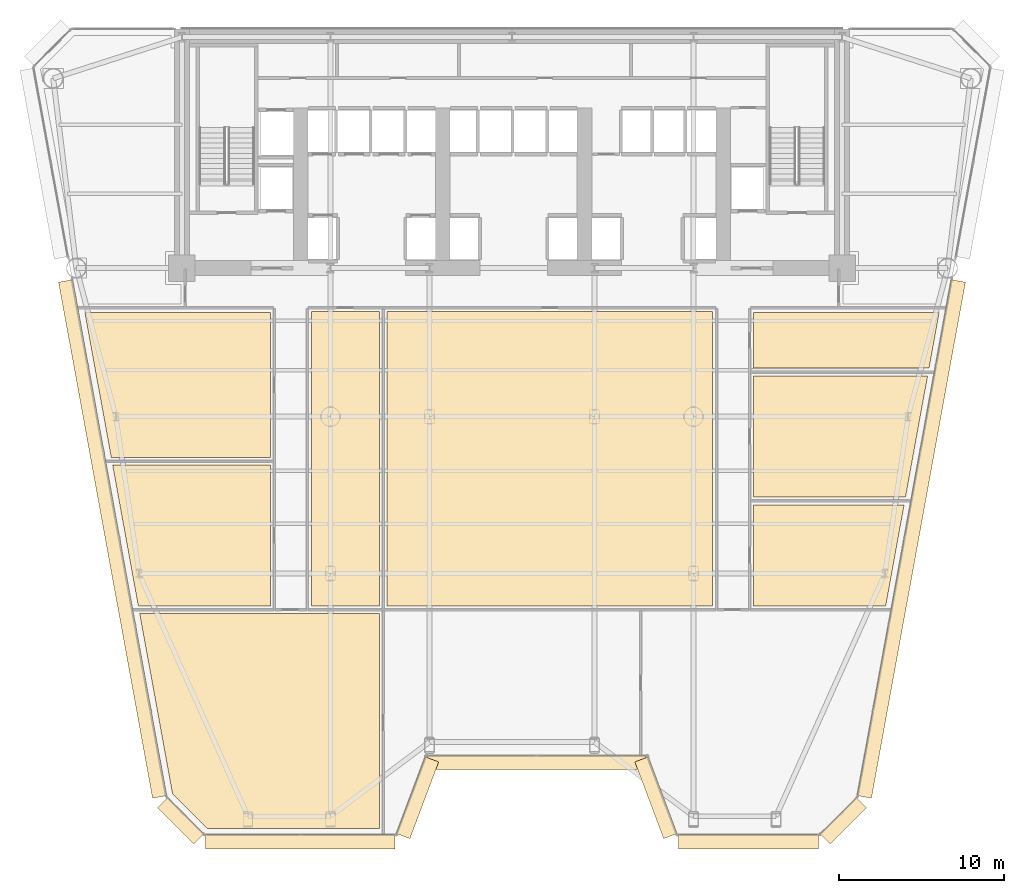
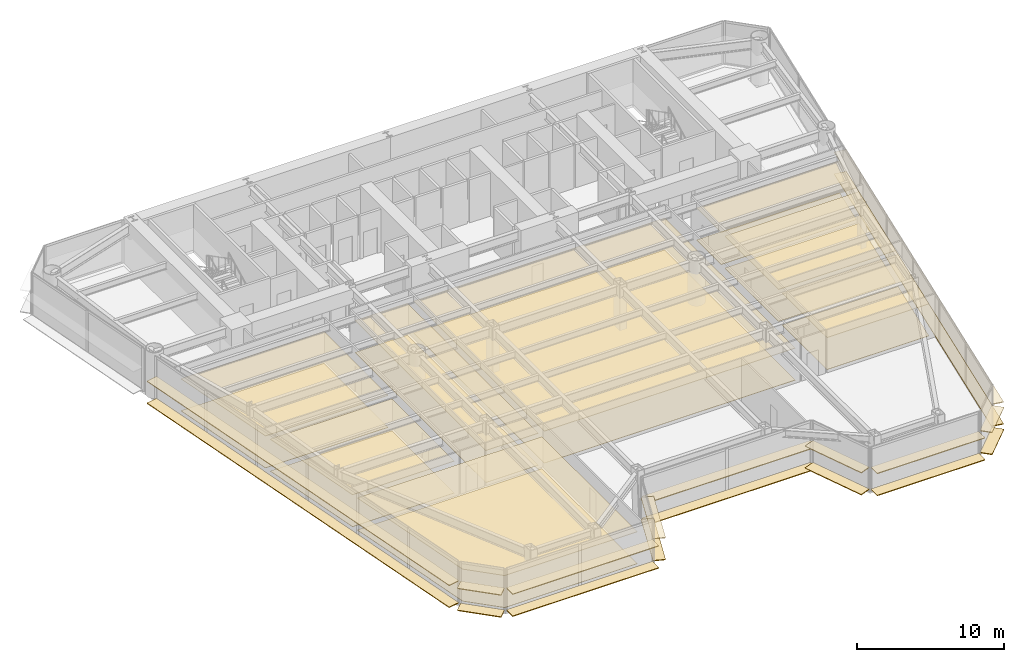
# One storey, part 11 of 14: 34 coverings.
"""IFC4 building model written with IfcOpenShell, lengths in metres."""

from ifc_helpers import new_model, si_unit, direction, frame, origin, origin_2d, place, context, subcontext, project, spatial, polyline, rectangle, outline, extrude, source, transform, mapped, material, layer, layer_set, type_object, element, save


model = new_model("IFC4")

# Units and contexts
model_context = context("Model", 3, precision=1e-05, world=origin(), true_north=direction((0.0, 1.0)))
body_context = subcontext(model_context, "Body", "Model", "MODEL_VIEW")
ifc_project = project(units=[si_unit("LENGTHUNIT", "METRE"), si_unit("AREAUNIT", "SQUARE_METRE"), si_unit("VOLUMEUNIT", "CUBIC_METRE"), si_unit("PLANEANGLEUNIT", "RADIAN"), si_unit("MASSUNIT", "GRAM", prefix="KILO")], contexts=[model_context])

# Site, building, storey
site_placement = place(None, origin())
site = spatial("IfcSite", under=ifc_project, at=site_placement, CompositionType="ELEMENT")
building_placement = place(site_placement, origin())
building = spatial("IfcBuilding", under=site, at=building_placement, Name="Vaeldorn Concourse Tower", CompositionType="ELEMENT")
storey_placement = place(building_placement, frame((0.0, 0.0, 53.0)))
storey = spatial("IfcBuildingStorey", under=building, at=storey_placement, Name="L13", CompositionType="ELEMENT", Elevation=53.0)

# Coverings
ifc_material_1 = material(Name="Acoustic Mineral Fibre Board", Category="gypsum")
ifc_layer_1 = layer(ifc_material_1, 0.0400390625)
ifc_layer_set_1 = layer_set([ifc_layer_1], Name="Acoustic Mineral Fibre Board")
covering_type_1 = type_object("IfcCoveringType", Name="COV-CEIL-ACOUSTIC", PredefinedType="CEILING", material=ifc_layer_set_1)
covering_1_placement = place(storey_placement, frame((0.0, 0.0, 2.64990234375)))
element("IfcCovering", 1, at=covering_1_placement, inside=storey, type_object=covering_type_1, Name="Suspended Acoustic Ceiling L13-5", PredefinedType="CEILING", context=body_context, shape_type="SweptSolid", body=[
    extrude(outline(polyline([(19.360107421875, 24.56005859375), (19.360107421875, 16.0400390625), (11.355712890625, 16.0400390625), (9.8037109375, 24.56005859375), (19.360107421875, 24.56005859375)])), origin(), (0.0, 0.0, 1.0), 0.0400390625),
])
covering_2_placement = place(storey_placement, frame((0.0, 0.0, 2.64990234375)))
element("IfcCovering", 2, at=covering_2_placement, inside=storey, type_object=covering_type_1, Name="Suspended Acoustic Ceiling L13-6", PredefinedType="CEILING", context=body_context, shape_type="SweptSolid", body=[
    extrude(outline(polyline([(19.360107421875, 33.800048828125), (19.360107421875, 25.0400390625), (9.71630859375, 25.0400390625), (8.12060546875, 33.800048828125), (19.360107421875, 33.800048828125)])), origin(), (0.0, 0.0, 1.0), 0.0400390625),
])
covering_3_placement = place(storey_placement, frame((0.0, 0.0, 2.64990234375)))
element("IfcCovering", 3, at=covering_3_placement, inside=storey, type_object=covering_type_1, Name="Suspended Acoustic Ceiling L13-7", PredefinedType="CEILING", context=body_context, shape_type="SweptSolid", body=[
    extrude(outline(polyline([(48.639892578125, 16.0400390625), (48.639892578125, 22.159912109375), (57.759033203125, 22.159912109375), (56.644287109375, 16.0400390625), (48.639892578125, 16.0400390625)])), origin(), (0.0, 0.0, 1.0), 0.0400390625),
])
covering_4_placement = place(storey_placement, frame((0.0, 0.0, 2.64990234375)))
element("IfcCovering", 4, at=covering_4_placement, inside=storey, type_object=covering_type_1, Name="Suspended Acoustic Ceiling L13-8", PredefinedType="CEILING", context=body_context, shape_type="SweptSolid", body=[
    extrude(outline(polyline([(48.639892578125, 22.639892578125), (48.639892578125, 29.9599609375), (59.179931640625, 29.9599609375), (57.846435546875, 22.639892578125), (48.639892578125, 22.639892578125)])), origin(), (0.0, 0.0, 1.0), 0.0400390625),
])
covering_5_placement = place(storey_placement, frame((0.0, 0.0, 2.64990234375)))
element("IfcCovering", 5, at=covering_5_placement, inside=storey, type_object=covering_type_1, Name="Suspended Acoustic Ceiling L13-9", PredefinedType="CEILING", context=body_context, shape_type="SweptSolid", body=[
    extrude(outline(polyline([(48.639892578125, 30.43994140625), (48.639892578125, 33.800048828125), (59.87939453125, 33.800048828125), (59.267333984375, 30.43994140625), (48.639892578125, 30.43994140625)])), origin(), (0.0, 0.0, 1.0), 0.0400390625),
])
covering_6_placement = place(storey_placement, frame((0.0, 0.0, 2.64990234375)))
element("IfcCovering", 6, at=covering_6_placement, inside=storey, type_object=covering_type_1, Name="Suspended Acoustic Ceiling L13-10", PredefinedType="CEILING", context=body_context, shape_type="SweptSolid", body=[
    extrude(outline(polyline([(21.840087890625, 33.860107421875), (25.9599609375, 33.860107421875), (25.9599609375, 16.0400390625), (21.840087890625, 16.0400390625), (21.840087890625, 33.860107421875)])), origin(), (0.0, 0.0, 1.0), 0.0400390625),
])
covering_7_placement = place(storey_placement, frame((0.0, 0.0, 2.64990234375)))
element("IfcCovering", 7, at=covering_7_placement, inside=storey, type_object=covering_type_1, Name="Suspended Acoustic Ceiling L13-11", PredefinedType="CEILING", context=body_context, shape_type="SweptSolid", body=[
    extrude(outline(polyline([(26.43994140625, 33.860107421875), (46.159912109375, 33.860107421875), (46.159912109375, 16.0400390625), (26.43994140625, 16.0400390625), (26.43994140625, 33.860107421875)])), origin(), (0.0, 0.0, 1.0), 0.0400390625),
])
covering_8_placement = place(storey_placement, frame((0.0, 0.0, 2.64990234375)))
element("IfcCovering", 8, at=covering_8_placement, inside=storey, type_object=covering_type_1, Name="Suspended Acoustic Ceiling L13-12", PredefinedType="CEILING", context=body_context, shape_type="SweptSolid", body=[
    extrude(outline(polyline([(25.9599609375, 15.56005859375), (25.9599609375, 2.5517578125), (15.525634765625, 2.5517578125), (13.43115234375, 4.646240234375), (11.443115234375, 15.56005859375), (25.9599609375, 15.56005859375)])), origin(), (0.0, 0.0, 1.0), 0.0400390625),
])
ifc_material_2 = material(Name="Honed Limestone Terrazzo Flooring", Category="masonry")
ifc_layer_2 = layer(ifc_material_2, 0.0400390625)
ifc_layer_set_2 = layer_set([ifc_layer_2], Name="Honed Limestone Terrazzo Flooring")
covering_type_2 = type_object("IfcCoveringType", Name="COV-FLOOR-STONE", PredefinedType="FLOORING", material=ifc_layer_set_2)
covering_9_placement = place(storey_placement, origin())
element("IfcCovering", 9, at=covering_9_placement, inside=storey, type_object=covering_type_2, Name="Floor Finish Covering L13-5", PredefinedType="FLOORING", context=body_context, shape_type="SweptSolid", body=[
    extrude(outline(polyline([(19.360107421875, 24.56005859375), (19.360107421875, 16.0400390625), (11.355712890625, 16.0400390625), (9.8037109375, 24.56005859375), (19.360107421875, 24.56005859375)])), origin(), (0.0, 0.0, 1.0), 0.030029296875),
])
covering_10_placement = place(storey_placement, origin())
element("IfcCovering", 10, at=covering_10_placement, inside=storey, type_object=covering_type_2, Name="Floor Finish Covering L13-6", PredefinedType="FLOORING", context=body_context, shape_type="SweptSolid", body=[
    extrude(outline(polyline([(19.360107421875, 33.800048828125), (19.360107421875, 25.0400390625), (9.71630859375, 25.0400390625), (8.12060546875, 33.800048828125), (19.360107421875, 33.800048828125)])), origin(), (0.0, 0.0, 1.0), 0.030029296875),
])
covering_11_placement = place(storey_placement, origin())
element("IfcCovering", 11, at=covering_11_placement, inside=storey, type_object=covering_type_2, Name="Floor Finish Covering L13-7", PredefinedType="FLOORING", context=body_context, shape_type="SweptSolid", body=[
    extrude(outline(polyline([(48.639892578125, 16.0400390625), (48.639892578125, 22.159912109375), (57.759033203125, 22.159912109375), (56.644287109375, 16.0400390625), (48.639892578125, 16.0400390625)])), origin(), (0.0, 0.0, 1.0), 0.030029296875),
])
covering_12_placement = place(storey_placement, origin())
element("IfcCovering", 12, at=covering_12_placement, inside=storey, type_object=covering_type_2, Name="Floor Finish Covering L13-8", PredefinedType="FLOORING", context=body_context, shape_type="SweptSolid", body=[
    extrude(outline(polyline([(48.639892578125, 22.639892578125), (48.639892578125, 29.9599609375), (59.179931640625, 29.9599609375), (57.846435546875, 22.639892578125), (48.639892578125, 22.639892578125)])), origin(), (0.0, 0.0, 1.0), 0.030029296875),
])
covering_13_placement = place(storey_placement, origin())
element("IfcCovering", 13, at=covering_13_placement, inside=storey, type_object=covering_type_2, Name="Floor Finish Covering L13-9", PredefinedType="FLOORING", context=body_context, shape_type="SweptSolid", body=[
    extrude(outline(polyline([(48.639892578125, 30.43994140625), (48.639892578125, 33.800048828125), (59.87939453125, 33.800048828125), (59.267333984375, 30.43994140625), (48.639892578125, 30.43994140625)])), origin(), (0.0, 0.0, 1.0), 0.030029296875),
])
covering_14_placement = place(storey_placement, origin())
element("IfcCovering", 14, at=covering_14_placement, inside=storey, type_object=covering_type_2, Name="Floor Finish Covering L13-10", PredefinedType="FLOORING", context=body_context, shape_type="SweptSolid", body=[
    extrude(outline(polyline([(21.840087890625, 33.860107421875), (25.9599609375, 33.860107421875), (25.9599609375, 16.0400390625), (21.840087890625, 16.0400390625), (21.840087890625, 33.860107421875)])), origin(), (0.0, 0.0, 1.0), 0.030029296875),
])
covering_15_placement = place(storey_placement, origin())
element("IfcCovering", 15, at=covering_15_placement, inside=storey, type_object=covering_type_2, Name="Floor Finish Covering L13-11", PredefinedType="FLOORING", context=body_context, shape_type="SweptSolid", body=[
    extrude(outline(polyline([(26.43994140625, 33.860107421875), (46.159912109375, 33.860107421875), (46.159912109375, 16.0400390625), (26.43994140625, 16.0400390625), (26.43994140625, 33.860107421875)])), origin(), (0.0, 0.0, 1.0), 0.030029296875),
])
covering_16_placement = place(storey_placement, origin())
element("IfcCovering", 16, at=covering_16_placement, inside=storey, type_object=covering_type_2, Name="Floor Finish Covering L13-12", PredefinedType="FLOORING", context=body_context, shape_type="SweptSolid", body=[
    extrude(outline(polyline([(25.9599609375, 15.56005859375), (25.9599609375, 2.5517578125), (15.525634765625, 2.5517578125), (13.43115234375, 4.646240234375), (11.443115234375, 15.56005859375), (25.9599609375, 15.56005859375)])), origin(), (0.0, 0.0, 1.0), 0.030029296875),
])
ifc_material_3 = material(Name="Anodised Bronze Aluminium", Category="aluminium")
ifc_layer_3 = layer(ifc_material_3, 0.06494140625)
ifc_layer_set_3 = layer_set([ifc_layer_3], Name="Anodised Bronze Aluminium")
covering_type_3 = type_object("IfcCoveringType", Name="SD-BRONZE-SUNSHADE", PredefinedType="USERDEFINED", material=ifc_layer_set_3)
shared_shape_1 = source(origin(), body_context, "Body", "SweptSolid", [
    extrude(rectangle(XDim=4.96630859375, YDim=0.8798828125, at=origin_2d()), origin(), (0.0, 0.0, 1.0), 0.06494140625),
])
for number, where, z_axis, x_axis, name in (
    (17, (28.2744140625, 4.411376953125, 0.047607421875), (0.0, 0.0, 1.0), (0.351122702609, 0.936329454686, 0.0), "Horizontal Bronze Sunshade L13-E02.1.1"),
    (18, (28.2744140625, 4.411376953125, 1.867431640625), (0.0, 0.0, 1.0), (0.351122702609, 0.936329454686, 0.0), "Horizontal Bronze Sunshade L13-E02.1.2"),
    (19, (42.7255859375, 4.411376953125, 0.047607421875), (0.0, 0.0, 1.0), (0.351122702609, -0.936329454686, 0.0), "Horizontal Bronze Sunshade L13-E04.1.1"),
    (20, (42.7255859375, 4.411376953125, 1.867431640625), (0.0, 0.0, 1.0), (0.351122702609, -0.936329454686, 0.0), "Horizontal Bronze Sunshade L13-E04.1.2"),
):
    element("IfcCovering", number, at=place(storey_placement, frame(where, z_axis=z_axis, x_axis=x_axis)), inside=storey, type_object=covering_type_3, Name=name, ObjectType="SUNSHADE", PredefinedType="USERDEFINED", context=body_context, shape_type="MappedRepresentation", body=[
        mapped(shared_shape_1, transform((0.0, 0.0, 0.0), scale=1.0)),
    ])
shared_shape_2 = source(origin(), body_context, "Body", "SweptSolid", [
    extrude(rectangle(XDim=13.239990234375, YDim=0.8798828125, at=origin_2d()), origin(), (0.0, 0.0, 1.0), 0.06494140625),
])
for number, where, z_axis, x_axis, name in (
    (21, (35.5, 6.5517578125, 0.047607421875), (0.0, 0.0, 1.0), (1.0, 0.0, 0.0), "Horizontal Bronze Sunshade L13-E03.1.1"),
    (22, (35.5, 6.5517578125, 1.867431640625), (0.0, 0.0, 1.0), (1.0, 0.0, 0.0), "Horizontal Bronze Sunshade L13-E03.1.2"),
):
    element("IfcCovering", number, at=place(storey_placement, frame(where, z_axis=z_axis, x_axis=x_axis)), inside=storey, type_object=covering_type_3, Name=name, ObjectType="SUNSHADE", PredefinedType="USERDEFINED", context=body_context, shape_type="MappedRepresentation", body=[
        mapped(shared_shape_2, transform((0.0, 0.0, 0.0), scale=1.0)),
    ])
shared_shape_3 = source(origin(), body_context, "Body", "SweptSolid", [
    extrude(rectangle(XDim=3.0927734375, YDim=0.8798828125, at=origin_2d()), origin(), (0.0, 0.0, 1.0), 0.06494140625),
])
for number, where, z_axis, x_axis, name in (
    (23, (54.07275390625, 3.018798828125, 0.047607421875), (0.0, 0.0, 1.0), (0.707106781187, 0.707106781187, 0.0), "Horizontal Bronze Sunshade L13-E06.1.1"),
    (24, (54.07275390625, 3.018798828125, 1.867431640625), (0.0, 0.0, 1.0), (0.707106781187, 0.707106781187, 0.0), "Horizontal Bronze Sunshade L13-E06.1.2"),
    (25, (13.92724609375, 3.018798828125, 0.047607421875), (0.0, 0.0, 1.0), (0.707106781187, -0.707106781187, 0.0), "Horizontal Bronze Sunshade L13-E12.1.1"),
    (26, (13.92724609375, 3.018798828125, 1.867431640625), (0.0, 0.0, 1.0), (0.707106781187, -0.707106781187, 0.0), "Horizontal Bronze Sunshade L13-E12.1.2"),
):
    element("IfcCovering", number, at=place(storey_placement, frame(where, z_axis=z_axis, x_axis=x_axis)), inside=storey, type_object=covering_type_3, Name=name, ObjectType="SUNSHADE", PredefinedType="USERDEFINED", context=body_context, shape_type="MappedRepresentation", body=[
        mapped(shared_shape_3, transform((0.0, 0.0, 0.0), scale=1.0)),
    ])
shared_shape_4 = source(origin(), body_context, "Body", "SweptSolid", [
    extrude(rectangle(XDim=11.47998046875, YDim=0.8798828125, at=origin_2d()), origin(), (0.0, 0.0, 1.0), 0.06494140625),
])
for number, where, z_axis, x_axis, name in (
    (27, (21.179931640625, 1.751708984375, 0.047607421875), (0.0, 0.0, 1.0), (1.0, 0.0, 0.0), "Horizontal Bronze Sunshade L13-E01.1.1"),
    (28, (21.179931640625, 1.751708984375, 1.867431640625), (0.0, 0.0, 1.0), (1.0, 0.0, 0.0), "Horizontal Bronze Sunshade L13-E01.1.2"),
):
    element("IfcCovering", number, at=place(storey_placement, frame(where, z_axis=z_axis, x_axis=x_axis)), inside=storey, type_object=covering_type_3, Name=name, ObjectType="SUNSHADE", PredefinedType="USERDEFINED", context=body_context, shape_type="MappedRepresentation", body=[
        mapped(shared_shape_4, transform((0.0, 0.0, 0.0), scale=1.0)),
    ])
shared_shape_5 = source(origin(), body_context, "Body", "SweptSolid", [
    extrude(rectangle(XDim=8.47998046875, YDim=0.8798828125, at=origin_2d()), origin(), (0.0, 0.0, 1.0), 0.06494140625),
])
for number, where, z_axis, x_axis, name in (
    (29, (48.320068359375, 1.751708984375, 0.047607421875), (0.0, 0.0, 1.0), (1.0, 0.0, 0.0), "Horizontal Bronze Sunshade L13-E05.1.1"),
    (30, (48.320068359375, 1.751708984375, 1.867431640625), (0.0, 0.0, 1.0), (1.0, 0.0, 0.0), "Horizontal Bronze Sunshade L13-E05.1.2"),
):
    element("IfcCovering", number, at=place(storey_placement, frame(where, z_axis=z_axis, x_axis=x_axis)), inside=storey, type_object=covering_type_3, Name=name, ObjectType="SUNSHADE", PredefinedType="USERDEFINED", context=body_context, shape_type="MappedRepresentation", body=[
        mapped(shared_shape_5, transform((0.0, 0.0, 0.0), scale=1.0)),
    ])
shared_shape_6 = source(origin(), body_context, "Body", "SweptSolid", [
    extrude(rectangle(XDim=31.785888671875, YDim=0.8798828125, at=origin_2d()), origin(), (0.0, 0.0, 1.0), 0.06494140625),
])
for number, where, z_axis, x_axis, name in (
    (31, (58.196044921875, 20.094482421875, 0.047607421875), (0.0, 0.0, 1.0), (0.179214328219, 0.983810055123, 0.0), "Horizontal Bronze Sunshade L13-E07.1.1"),
    (32, (58.196044921875, 20.094482421875, 1.867431640625), (0.0, 0.0, 1.0), (0.179214328219, 0.983810055123, 0.0), "Horizontal Bronze Sunshade L13-E07.1.2"),
    (33, (9.803955078125, 20.094482421875, 0.047607421875), (0.0, 0.0, 1.0), (0.179214328219, -0.983810055123, 0.0), "Horizontal Bronze Sunshade L13-E11.2.1"),
    (34, (9.803955078125, 20.094482421875, 1.867431640625), (0.0, 0.0, 1.0), (0.179214328219, -0.983810055123, 0.0), "Horizontal Bronze Sunshade L13-E11.2.2"),
):
    element("IfcCovering", number, at=place(storey_placement, frame(where, z_axis=z_axis, x_axis=x_axis)), inside=storey, type_object=covering_type_3, Name=name, ObjectType="SUNSHADE", PredefinedType="USERDEFINED", context=body_context, shape_type="MappedRepresentation", body=[
        mapped(shared_shape_6, transform((0.0, 0.0, 0.0), scale=1.0)),
    ])

save(model, "model.ifc")
